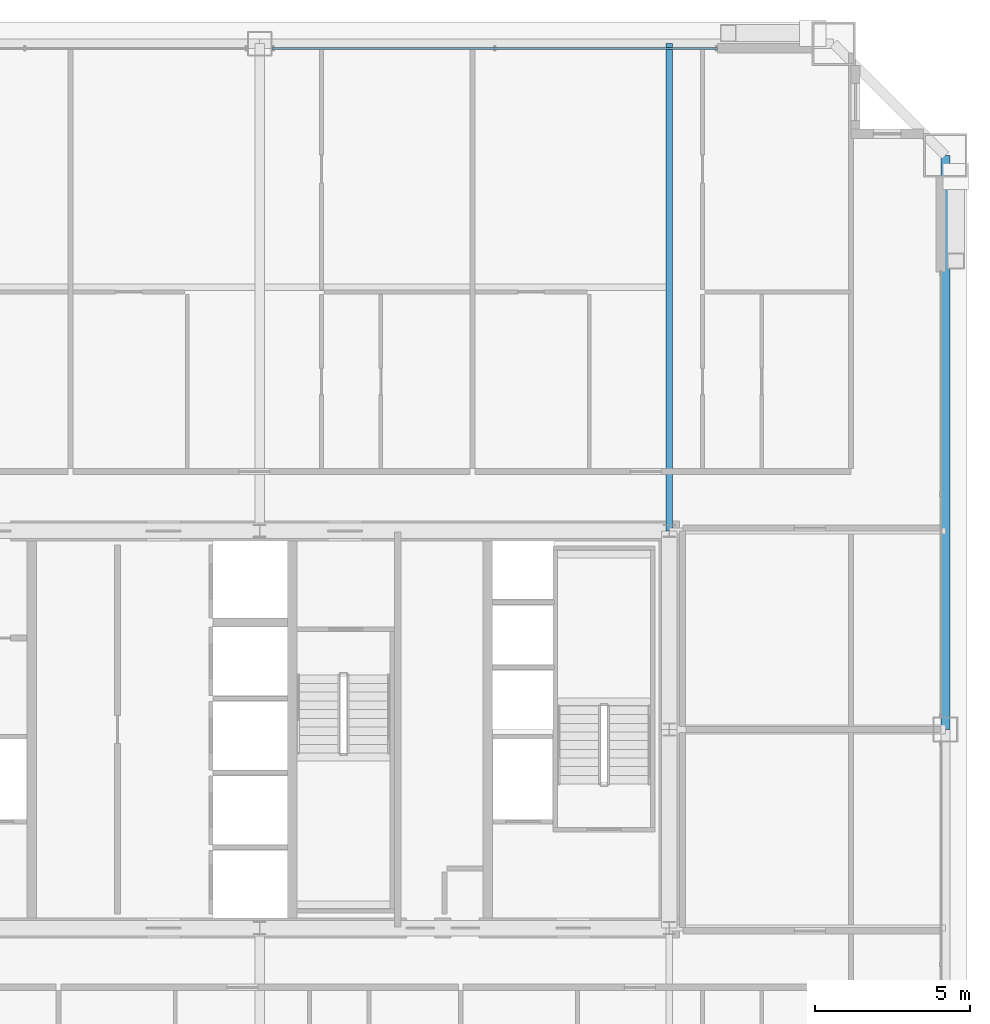
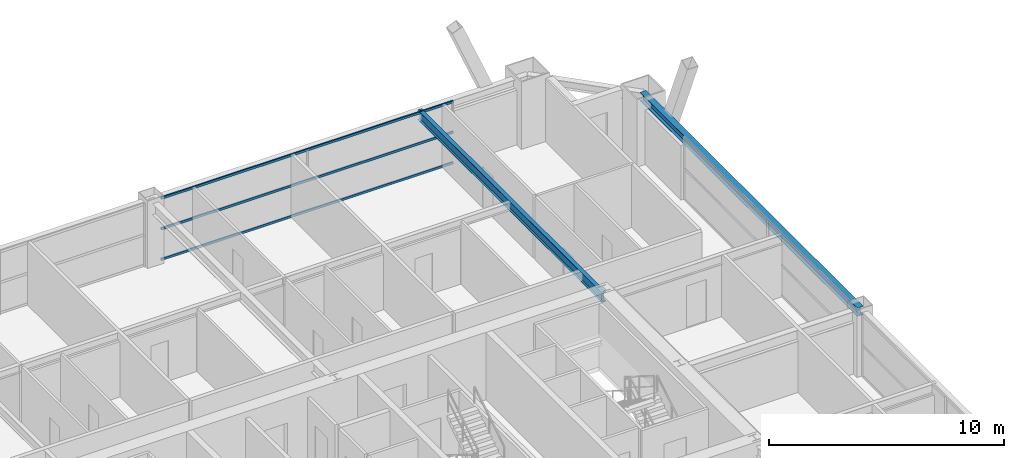
# One storey, part 32 of 42: 3 members, 2 beams, 1 element without a shape of its own.
"""IFC4 building model written with IfcOpenShell, lengths in metres."""

from ifc_helpers import new_model, si_unit, direction, frame, origin, origin_2d, place, context, subcontext, project, spatial, hollow_rectangle, i_section, extrude, source, transform, mapped, material, layer, layer_set, material_profile, profile_set, type_object, element, aggregate, save


model = new_model("IFC4")

# Units and contexts
model_context = context("Model", 3, precision=1e-05, world=origin(), true_north=direction((0.0, 1.0)))
body_context = subcontext(model_context, "Body", "Model", "MODEL_VIEW")
ifc_project = project(units=[si_unit("LENGTHUNIT", "METRE"), si_unit("AREAUNIT", "SQUARE_METRE"), si_unit("VOLUMEUNIT", "CUBIC_METRE"), si_unit("PLANEANGLEUNIT", "RADIAN"), si_unit("MASSUNIT", "GRAM", prefix="KILO"), si_unit("THERMODYNAMICTEMPERATUREUNIT", "KELVIN"), si_unit("POWERUNIT", "WATT")], contexts=[model_context])

# Site, building, storey
site_placement = place(None, origin())
site = spatial("IfcSite", under=ifc_project, at=site_placement, CompositionType="ELEMENT")
building_placement = place(site_placement, origin())
building = spatial("IfcBuilding", under=site, at=building_placement, Name="Yuzanri Waterfront Tower", CompositionType="ELEMENT")
storey_placement = place(building_placement, frame((0.0, 0.0, 205.5)))
storey = spatial("IfcBuildingStorey", under=building, at=storey_placement, Name="L54", CompositionType="ELEMENT", Elevation=205.5)

# Beams
ifc_material_1 = material(Name="Steel Q355B", Category="steel")
ifc_material_profile_1 = material_profile(ifc_material_1, i_section(OverallWidth=0.300048828125, OverallDepth=0.43994140625, WebThickness=0.010986328125, FlangeThickness=0.01806640625, at=origin_2d()), Name="HM 440x300x11x18")
ifc_profile_set_1 = profile_set([ifc_material_profile_1], Name="Steel Q355B")
beam_type_1 = type_object("IfcBeamType", Name="Perimeter Spandrel Q355B HM 440x300", PredefinedType="SPANDREL", material=ifc_profile_set_1)
shared_shape_1 = source(origin(), body_context, "Body", "SweptSolid", [
    extrude(i_section(OverallWidth=0.300048828125, OverallDepth=0.43994140625, WebThickness=0.010986328125, FlangeThickness=0.01806640625, at=origin_2d()), origin(), (0.0, 0.0, 1.0), 18.5),
])
beam_1_placement = place(storey_placement, frame((59.10009765625, 25.800048828125, 3.06005859375), z_axis=(0.0, 1.0, 0.0), x_axis=(-1.0, 0.0, 0.0)))
element("IfcBeam", 1, at=beam_1_placement, inside=storey, type_object=beam_type_1, Name="L54 Perimeter Spandrel E2-E3", PredefinedType="SPANDREL", context=body_context, shape_type="MappedRepresentation", body=[
    mapped(shared_shape_1, transform((0.0, 0.0, 0.0), scale=1.0)),
])
ifc_material_2 = material(Name="Steel Q355B", Category="steel")
ifc_material_profile_2 = material_profile(ifc_material_2, i_section(OverallWidth=0.199951171875, OverallDepth=0.5, WebThickness=0.010009765625, FlangeThickness=0.01611328125, at=origin_2d()), Name="HN 500x200x10x16")
ifc_profile_set_2 = profile_set([ifc_material_profile_2], Name="Steel Q355B")
beam_type_2 = type_object("IfcBeamType", Name="Secondary Floor Beam Q355B HN 500x200", PredefinedType="BEAM", material=ifc_profile_set_2)
shared_shape_2 = source(origin(), body_context, "Body", "SweptSolid", [
    extrude(i_section(OverallWidth=0.199951171875, OverallDepth=0.5, WebThickness=0.010009765625, FlangeThickness=0.01611328125, at=origin_2d()), origin(), (0.0, 0.0, 1.0), 15.699951171875),
])
beam_2_placement = place(storey_placement, frame((50.199951171875, 32.199951171875, 3.030029296875), z_axis=(0.0, 1.0, 0.0), x_axis=(-1.0, 0.0, 0.0)))
element("IfcBeam", 2, at=beam_2_placement, inside=storey, type_object=beam_type_2, Name="L54 North-East Core Line Beam", PredefinedType="BEAM", context=body_context, shape_type="MappedRepresentation", body=[
    mapped(shared_shape_2, transform((0.0, 0.0, 0.0), scale=1.0)),
])

# Curtain wall, members
ifc_material_3 = material(Name="Anodized Architectural Bronze", Category="metal")
ifc_layer = layer(ifc_material_3, 0.159912109375)
ifc_layer_set = layer_set([ifc_layer], Name="Anodized Architectural Bronze")
curtain_wall_type = type_object("IfcCurtainWallType", Name="Anodized Bronze Mid-Rise Residential Acoustic Unitized Curtain Wall 7200", PredefinedType="NOTDEFINED", material=ifc_layer_set)
curtain_wall_placement = place(storey_placement, origin())
curtain_wall = element("IfcCurtainWall", 3, at=curtain_wall_placement, inside=storey, type_object=curtain_wall_type, Name="L54 Curtain Wall CW-L54-NR", PredefinedType="NOTDEFINED")
ifc_material_4 = material(Name="Anodized Architectural Bronze", Category="metal")
ifc_material_profile_3 = material_profile(ifc_material_4, hollow_rectangle(XDim=0.06494140625, YDim=0.1201171875, WallThickness=0.00341796875, at=origin_2d()), Name="CWT 65x120")
ifc_profile_set_3 = profile_set([ifc_material_profile_3], Name="Anodized Architectural Bronze")
member_type = type_object("IfcMemberType", Name="Anodized Bronze Secondary Curtain-Wall Transom 65x120", PredefinedType="USERDEFINED", material=ifc_profile_set_3)
shared_shape_3 = source(origin(), body_context, "Body", "SweptSolid", [
    extrude(hollow_rectangle(XDim=0.06494140625, YDim=0.1201171875, WallThickness=0.00341796875, at=origin_2d()), origin(), (0.0, 0.0, 1.0), 14.35009765625),
])
member_1_placement = place(storey_placement, frame((37.39990234375, 47.75, 0.050048828125), z_axis=(1.0, 0.0, 0.0), x_axis=(0.0, 1.0, 0.0)))
member_1 = element("IfcMember", 4, at=member_1_placement, type_object=member_type, Name="CW-L54-NR Transom 1", ObjectType="TRANSOM", PredefinedType="USERDEFINED", context=body_context, shape_type="MappedRepresentation", body=[
    mapped(shared_shape_3, transform((0.0, 0.0, 0.0), scale=1.0)),
])
member_2_placement = place(storey_placement, frame((37.39990234375, 47.75, 1.639892578125), z_axis=(1.0, 0.0, 0.0), x_axis=(0.0, 1.0, 0.0)))
member_2 = element("IfcMember", 5, at=member_2_placement, type_object=member_type, Name="CW-L54-NR Transom 2", ObjectType="TRANSOM", PredefinedType="USERDEFINED", context=body_context, shape_type="MappedRepresentation", body=[
    mapped(shared_shape_3, transform((0.0, 0.0, 0.0), scale=1.0)),
])
member_3_placement = place(storey_placement, frame((37.39990234375, 47.75, 3.22998046875), z_axis=(1.0, 0.0, 0.0), x_axis=(0.0, 1.0, 0.0)))
member_3 = element("IfcMember", 6, at=member_3_placement, type_object=member_type, Name="CW-L54-NR Transom 3", ObjectType="TRANSOM", PredefinedType="USERDEFINED", context=body_context, shape_type="MappedRepresentation", body=[
    mapped(shared_shape_3, transform((0.0, 0.0, 0.0), scale=1.0)),
])
aggregate(curtain_wall, [member_1, member_2, member_3])

save(model, "model.ifc")
